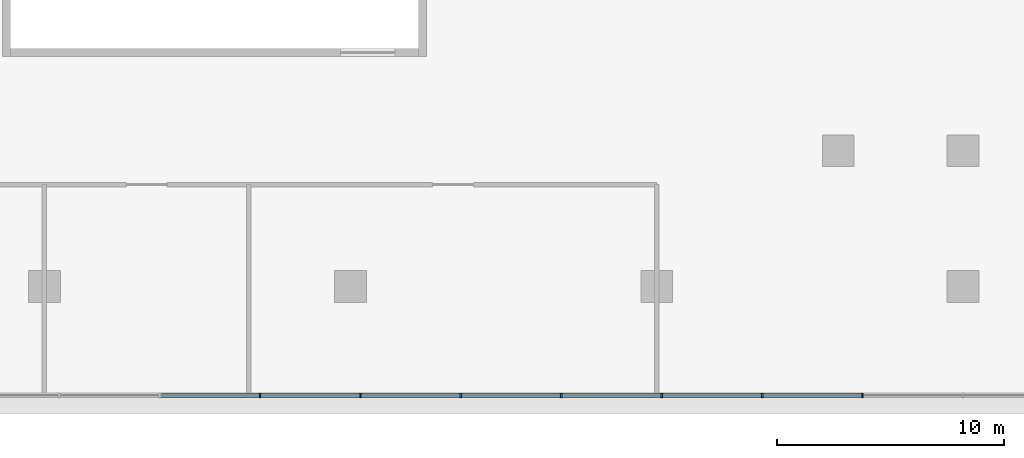
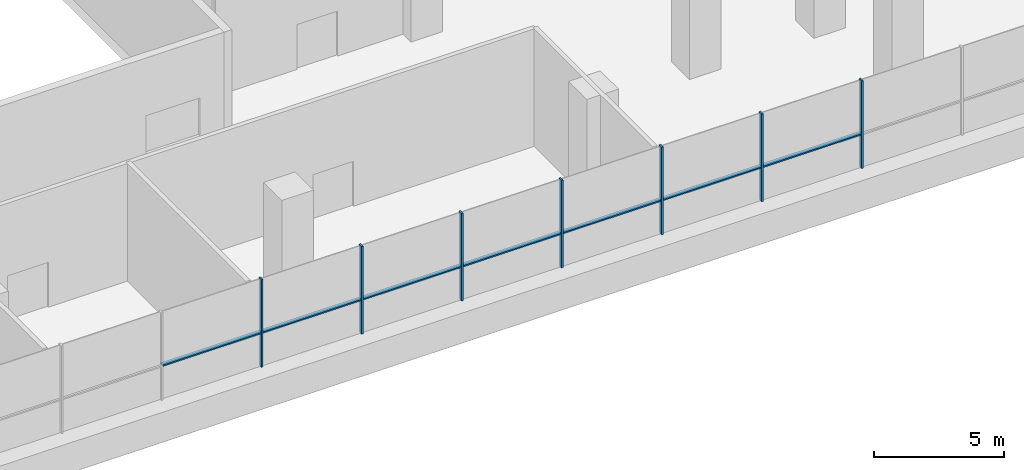
# One storey, part 4 of 52: 14 members, 1 element without a shape of its own.
"""IFC4 building model written with IfcOpenShell, lengths in metres."""

from ifc_helpers import new_model, si_unit, direction, frame, origin, origin_2d, place, context, subcontext, project, spatial, polyline, rectangle, outline, extrude, material, layer, layer_set, material_profile, profile_set, type_object, element, aggregate, save


model = new_model("IFC4")

# Units and contexts
model_context = context("Model", 3, precision=1e-05, world=origin(), true_north=direction((0.0, 1.0)))
body_context = subcontext(model_context, "Body", "Model", "MODEL_VIEW")
ifc_project = project(units=[si_unit("LENGTHUNIT", "METRE"), si_unit("AREAUNIT", "SQUARE_METRE"), si_unit("VOLUMEUNIT", "CUBIC_METRE"), si_unit("PLANEANGLEUNIT", "RADIAN"), si_unit("MASSUNIT", "GRAM", prefix="KILO")], contexts=[model_context])

# Site, building, storey
site_placement = place(None, origin())
site = spatial("IfcSite", under=ifc_project, at=site_placement, CompositionType="ELEMENT")
building_placement = place(site_placement, origin())
building = spatial("IfcBuilding", under=site, at=building_placement, Name="Tamarind Cross Interchange Tower", CompositionType="ELEMENT")
storey_placement = place(building_placement, frame((0.0, 0.0, 9.0)))
storey = spatial("IfcBuildingStorey", under=building, at=storey_placement, Name="L01", CompositionType="ELEMENT", Elevation=9.0)

# Curtain wall, members
ifc_material = material(Name="Aluminium 6063-T6", Category="aluminium")
ifc_layer = layer(ifc_material, 0.199951171875)
ifc_layer_set = layer_set([ifc_layer], Name="Aluminium 6063-T6")
curtain_wall_type = type_object("IfcCurtainWallType", Name="Podium shopfront and station curtain wall", PredefinedType="NOTDEFINED", material=ifc_layer_set)
curtain_wall_placement = place(storey_placement, origin())
curtain_wall = element("IfcCurtainWall", 1, at=curtain_wall_placement, inside=storey, type_object=curtain_wall_type, Name="CWS-L01-06", PredefinedType="NOTDEFINED")
ifc_material_profile = material_profile(ifc_material, rectangle(XDim=0.080078125, YDim=0.199951171875, at=origin_2d()), Name="Mullion CW3")
ifc_profile_set = profile_set([ifc_material_profile], Name="Aluminium 6063-T6")
member_type_1 = type_object("IfcMemberType", Name="Mullion CW3", PredefinedType="MULLION", material=ifc_profile_set)
member_1_placement = place(storey_placement, frame((-30.9921875, -58.800048828125, 1.39990234375), z_axis=(0.0, 0.0, 1.0), x_axis=(1.0, 0.0, 0.0)))
member_1 = element("IfcMember", 2, at=member_1_placement, type_object=member_type_1, Name="CWM-L01-06-07", PredefinedType="MULLION", context=body_context, shape_type="SweptSolid", body=[
    extrude(rectangle(XDim=0.080078125, YDim=0.199951171875, at=origin_2d()), origin(), (0.0, 0.0, 1.0), 4.10009765625),
])
member_2_placement = place(storey_placement, frame((-26.564697265625, -58.800048828125, 1.39990234375), z_axis=(0.0, 0.0, 1.0), x_axis=(1.0, 0.0, 0.0)))
member_2 = element("IfcMember", 3, at=member_2_placement, type_object=member_type_1, Name="CWM-L01-06-08", PredefinedType="MULLION", context=body_context, shape_type="SweptSolid", body=[
    extrude(rectangle(XDim=0.080078125, YDim=0.199951171875, at=origin_2d()), origin(), (0.0, 0.0, 1.0), 4.10009765625),
])
member_3_placement = place(storey_placement, frame((-22.13720703125, -58.800048828125, 1.39990234375), z_axis=(0.0, 0.0, 1.0), x_axis=(1.0, 0.0, 0.0)))
member_3 = element("IfcMember", 4, at=member_3_placement, type_object=member_type_1, Name="CWM-L01-06-09", PredefinedType="MULLION", context=body_context, shape_type="SweptSolid", body=[
    extrude(rectangle(XDim=0.080078125, YDim=0.199951171875, at=origin_2d()), origin(), (0.0, 0.0, 1.0), 4.10009765625),
])
member_4_placement = place(storey_placement, frame((-17.709716796875, -58.800048828125, 1.39990234375), z_axis=(0.0, 0.0, 1.0), x_axis=(1.0, 0.0, 0.0)))
member_4 = element("IfcMember", 5, at=member_4_placement, type_object=member_type_1, Name="CWM-L01-06-10", PredefinedType="MULLION", context=body_context, shape_type="SweptSolid", body=[
    extrude(rectangle(XDim=0.080078125, YDim=0.199951171875, at=origin_2d()), origin(), (0.0, 0.0, 1.0), 4.10009765625),
])
member_5_placement = place(storey_placement, frame((-13.2822265625, -58.800048828125, 1.39990234375), z_axis=(0.0, 0.0, 1.0), x_axis=(1.0, 0.0, 0.0)))
member_5 = element("IfcMember", 6, at=member_5_placement, type_object=member_type_1, Name="CWM-L01-06-11", PredefinedType="MULLION", context=body_context, shape_type="SweptSolid", body=[
    extrude(rectangle(XDim=0.080078125, YDim=0.199951171875, at=origin_2d()), origin(), (0.0, 0.0, 1.0), 4.10009765625),
])
member_6_placement = place(storey_placement, frame((-8.85498046875, -58.800048828125, 1.39990234375), z_axis=(0.0, 0.0, 1.0), x_axis=(1.0, 0.0, 0.0)))
member_6 = element("IfcMember", 7, at=member_6_placement, type_object=member_type_1, Name="CWM-L01-06-12", PredefinedType="MULLION", context=body_context, shape_type="SweptSolid", body=[
    extrude(rectangle(XDim=0.080078125, YDim=0.199951171875, at=origin_2d()), origin(), (0.0, 0.0, 1.0), 4.10009765625),
])
member_7_placement = place(storey_placement, frame((-4.427490234375, -58.800048828125, 1.39990234375), z_axis=(0.0, 0.0, 1.0), x_axis=(1.0, 0.0, 0.0)))
member_7 = element("IfcMember", 8, at=member_7_placement, type_object=member_type_1, Name="CWM-L01-06-13", PredefinedType="MULLION", context=body_context, shape_type="SweptSolid", body=[
    extrude(rectangle(XDim=0.080078125, YDim=0.199951171875, at=origin_2d()), origin(), (0.0, 0.0, 1.0), 4.10009765625),
])
member_type_2 = type_object("IfcMemberType", Name="Podium intermediate transom", PredefinedType="USERDEFINED", material=ifc_material)
member_8_placement = place(storey_placement, frame((0.0, 0.0, 2.969970703125)))
member_8 = element("IfcMember", 9, at=member_8_placement, type_object=member_type_2, Name="CWT-L01-06-I0-06", ObjectType="TRANSOM", PredefinedType="USERDEFINED", context=body_context, shape_type="SweptSolid", body=[
    extrude(outline(polyline([(-35.379638671875, -58.699951171875), (-31.0322265625, -58.699951171875), (-31.0322265625, -58.89990234375), (-35.379638671875, -58.89990234375), (-35.379638671875, -58.699951171875)])), origin(), (0.0, 0.0, 1.0), 0.06005859375),
])
member_9_placement = place(storey_placement, frame((0.0, 0.0, 2.969970703125)))
member_9 = element("IfcMember", 10, at=member_9_placement, type_object=member_type_2, Name="CWT-L01-06-I0-07", ObjectType="TRANSOM", PredefinedType="USERDEFINED", context=body_context, shape_type="SweptSolid", body=[
    extrude(outline(polyline([(-30.9521484375, -58.699951171875), (-26.604736328125, -58.699951171875), (-26.604736328125, -58.89990234375), (-30.9521484375, -58.89990234375), (-30.9521484375, -58.699951171875)])), origin(), (0.0, 0.0, 1.0), 0.06005859375),
])
member_10_placement = place(storey_placement, frame((0.0, 0.0, 2.969970703125)))
member_10 = element("IfcMember", 11, at=member_10_placement, type_object=member_type_2, Name="CWT-L01-06-I0-08", ObjectType="TRANSOM", PredefinedType="USERDEFINED", context=body_context, shape_type="SweptSolid", body=[
    extrude(outline(polyline([(-26.524658203125, -58.699951171875), (-22.17724609375, -58.699951171875), (-22.17724609375, -58.89990234375), (-26.524658203125, -58.89990234375), (-26.524658203125, -58.699951171875)])), origin(), (0.0, 0.0, 1.0), 0.06005859375),
])
member_11_placement = place(storey_placement, frame((0.0, 0.0, 2.969970703125)))
member_11 = element("IfcMember", 12, at=member_11_placement, type_object=member_type_2, Name="CWT-L01-06-I0-09", ObjectType="TRANSOM", PredefinedType="USERDEFINED", context=body_context, shape_type="SweptSolid", body=[
    extrude(outline(polyline([(-22.09716796875, -58.699951171875), (-17.749755859375, -58.699951171875), (-17.749755859375, -58.89990234375), (-22.09716796875, -58.89990234375), (-22.09716796875, -58.699951171875)])), origin(), (0.0, 0.0, 1.0), 0.06005859375),
])
member_12_placement = place(storey_placement, frame((0.0, 0.0, 2.969970703125)))
member_12 = element("IfcMember", 13, at=member_12_placement, type_object=member_type_2, Name="CWT-L01-06-I0-10", ObjectType="TRANSOM", PredefinedType="USERDEFINED", context=body_context, shape_type="SweptSolid", body=[
    extrude(outline(polyline([(-17.669677734375, -58.699951171875), (-13.322265625, -58.699951171875), (-13.322265625, -58.89990234375), (-17.669677734375, -58.89990234375), (-17.669677734375, -58.699951171875)])), origin(), (0.0, 0.0, 1.0), 0.06005859375),
])
member_13_placement = place(storey_placement, frame((0.0, 0.0, 2.969970703125)))
member_13 = element("IfcMember", 14, at=member_13_placement, type_object=member_type_2, Name="CWT-L01-06-I0-11", ObjectType="TRANSOM", PredefinedType="USERDEFINED", context=body_context, shape_type="SweptSolid", body=[
    extrude(outline(polyline([(-13.242431640625, -58.699951171875), (-8.894775390625, -58.699951171875), (-8.894775390625, -58.89990234375), (-13.242431640625, -58.89990234375), (-13.242431640625, -58.699951171875)])), origin(), (0.0, 0.0, 1.0), 0.06005859375),
])
member_14_placement = place(storey_placement, frame((0.0, 0.0, 2.969970703125)))
member_14 = element("IfcMember", 15, at=member_14_placement, type_object=member_type_2, Name="CWT-L01-06-I0-12", ObjectType="TRANSOM", PredefinedType="USERDEFINED", context=body_context, shape_type="SweptSolid", body=[
    extrude(outline(polyline([(-8.81494140625, -58.699951171875), (-4.467529296875, -58.699951171875), (-4.467529296875, -58.89990234375), (-8.81494140625, -58.89990234375), (-8.81494140625, -58.699951171875)])), origin(), (0.0, 0.0, 1.0), 0.06005859375),
])
aggregate(curtain_wall, [member_1, member_2, member_3, member_4, member_5, member_6, member_7, member_8, member_9, member_10, member_11, member_12, member_13, member_14])

save(model, "model.ifc")
